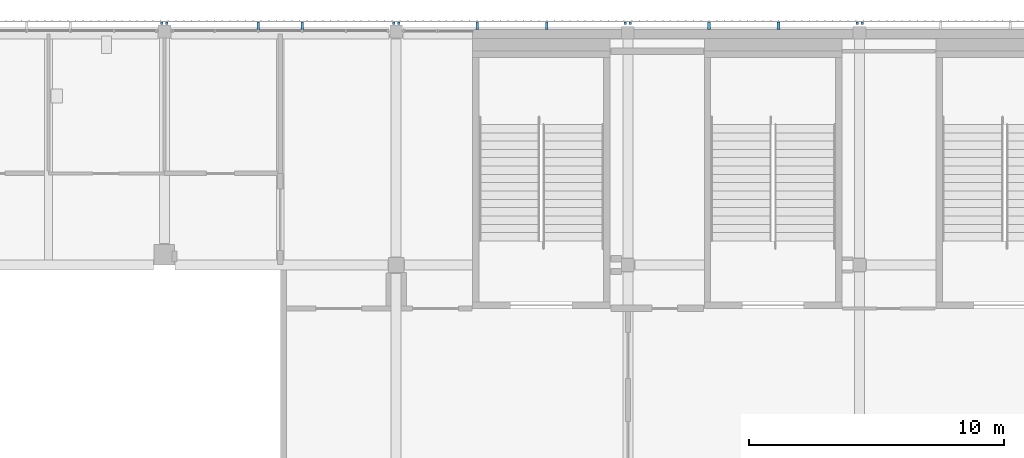
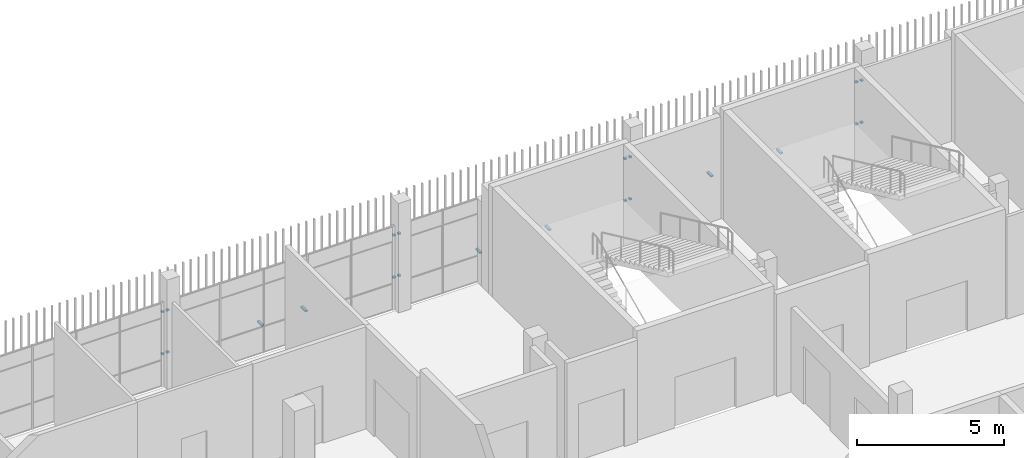
# One storey, part 98 of 124: 22 discrete accessories.
"""IFC4 building model written with IfcOpenShell, lengths in metres."""

from ifc_helpers import new_model, si_unit, direction, frame, origin, origin_2d, place, context, subcontext, project, spatial, rectangle, extrude, material, type_object, element, save


model = new_model("IFC4")

# Units and contexts
model_context = context("Model", 3, precision=1e-05, world=origin(), true_north=direction((0.0, 1.0)))
body_context = subcontext(model_context, "Body", "Model", "MODEL_VIEW")
ifc_project = project(units=[si_unit("LENGTHUNIT", "METRE"), si_unit("AREAUNIT", "SQUARE_METRE"), si_unit("VOLUMEUNIT", "CUBIC_METRE"), si_unit("PLANEANGLEUNIT", "RADIAN"), si_unit("MASSUNIT", "GRAM", prefix="KILO")], contexts=[model_context])

# Site, building, storey
site_placement = place(None, origin())
site = spatial("IfcSite", under=ifc_project, at=site_placement, CompositionType="ELEMENT")
building_placement = place(site_placement, origin())
building = spatial("IfcBuilding", under=site, at=building_placement, Name="Shirokan Park Arena", CompositionType="ELEMENT")
storey_placement = place(building_placement, frame((0.0, 0.0, 20.02001953125)))
storey = spatial("IfcBuildingStorey", under=building, at=storey_placement, Name="L04", CompositionType="ELEMENT", Elevation=20.02001953125)

# Discrete accessories
ifc_material = material(Name="Steel S355", Category="steel")
discrete_accessory_type = type_object("IfcDiscreteAccessoryType", Name="Veil bracket 100x60", PredefinedType="BRACKET", material=ifc_material)
for number, where, z_axis, x_axis, name in (
    (1, (127.5, 109.597412109375, 1.070068359375), (0.0, 0.0, 1.0), (-1.0, 0.0, 0.0), "Veil bracket north bay 2 L04 2"),
    (2, (127.5, 109.597412109375, 2.820068359375), (0.0, 0.0, 1.0), (-1.0, 0.0, 0.0), "Veil bracket north bay 2 L04 4"),
    (3, (127.300048828125, 109.597412109375, 1.070068359375), (0.0, 0.0, 1.0), (-1.0, 0.0, 0.0), "Veil bracket north bay 3 L04 1"),
    (4, (118.39990234375, 109.597412109375, 1.070068359375), (0.0, 0.0, 1.0), (-1.0, 0.0, 0.0), "Veil bracket north bay 3 L04 2"),
    (5, (127.300048828125, 109.597412109375, 2.820068359375), (0.0, 0.0, 1.0), (-1.0, 0.0, 0.0), "Veil bracket north bay 3 L04 3"),
    (6, (118.39990234375, 109.597412109375, 2.820068359375), (0.0, 0.0, 1.0), (-1.0, 0.0, 0.0), "Veil bracket north bay 3 L04 4"),
):
    element("IfcDiscreteAccessory", number, at=place(storey_placement, frame(where, z_axis=z_axis, x_axis=x_axis)), inside=storey, type_object=discrete_accessory_type, Name=name, PredefinedType="BRACKET", context=body_context, shape_type="SweptSolid", body=[
        extrude(rectangle(XDim=0.10009765625, YDim=0.094970703125, at=origin_2d()), origin(), (0.0, 0.0, 1.0), 0.06005859375),
    ])
for number, where, z_axis, x_axis, name in (
    (7, (124.215087890625, 109.49755859375, 1.070068359375), (0.0, 0.0, 1.0), (-1.0, 0.0, 0.0), "Veil bracket north bay 3 L04 wall 1"),
    (8, (121.485107421875, 109.49755859375, 1.070068359375), (0.0, 0.0, 1.0), (-1.0, 0.0, 0.0), "Veil bracket north bay 3 L04 wall 2"),
):
    element("IfcDiscreteAccessory", number, at=place(storey_placement, frame(where, z_axis=z_axis, x_axis=x_axis)), inside=storey, type_object=discrete_accessory_type, Name=name, PredefinedType="BRACKET", context=body_context, shape_type="SweptSolid", body=[
        extrude(rectangle(XDim=0.10009765625, YDim=0.294921875, at=origin_2d()), origin(), (0.0, 0.0, 1.0), 0.06005859375),
    ])
for number, where, z_axis, x_axis, name in (
    (9, (118.199951171875, 109.597412109375, 1.070068359375), (0.0, 0.0, 1.0), (-1.0, 0.0, 0.0), "Veil bracket north bay 4 L04 1"),
    (10, (109.300048828125, 109.597412109375, 1.070068359375), (0.0, 0.0, 1.0), (-1.0, 0.0, 0.0), "Veil bracket north bay 4 L04 2"),
    (11, (118.199951171875, 109.597412109375, 2.820068359375), (0.0, 0.0, 1.0), (-1.0, 0.0, 0.0), "Veil bracket north bay 4 L04 3"),
    (12, (109.300048828125, 109.597412109375, 2.820068359375), (0.0, 0.0, 1.0), (-1.0, 0.0, 0.0), "Veil bracket north bay 4 L04 4"),
):
    element("IfcDiscreteAccessory", number, at=place(storey_placement, frame(where, z_axis=z_axis, x_axis=x_axis)), inside=storey, type_object=discrete_accessory_type, Name=name, PredefinedType="BRACKET", context=body_context, shape_type="SweptSolid", body=[
        extrude(rectangle(XDim=0.10009765625, YDim=0.094970703125, at=origin_2d()), origin(), (0.0, 0.0, 1.0), 0.06005859375),
    ])
for number, where, z_axis, x_axis, name in (
    (13, (115.114990234375, 109.49755859375, 1.070068359375), (0.0, 0.0, 1.0), (-1.0, 0.0, 0.0), "Veil bracket north bay 4 L04 wall 1"),
    (14, (112.385009765625, 109.49755859375, 1.070068359375), (0.0, 0.0, 1.0), (-1.0, 0.0, 0.0), "Veil bracket north bay 4 L04 wall 2"),
):
    element("IfcDiscreteAccessory", number, at=place(storey_placement, frame(where, z_axis=z_axis, x_axis=x_axis)), inside=storey, type_object=discrete_accessory_type, Name=name, PredefinedType="BRACKET", context=body_context, shape_type="SweptSolid", body=[
        extrude(rectangle(XDim=0.10009765625, YDim=0.294921875, at=origin_2d()), origin(), (0.0, 0.0, 1.0), 0.06005859375),
    ])
for number, where, z_axis, x_axis, name in (
    (15, (109.10009765625, 109.597412109375, 1.070068359375), (0.0, 0.0, 1.0), (-1.0, 0.0, 0.0), "Veil bracket north bay 5 L04 1"),
    (16, (100.199951171875, 109.597412109375, 1.070068359375), (0.0, 0.0, 1.0), (-1.0, 0.0, 0.0), "Veil bracket north bay 5 L04 2"),
    (17, (109.10009765625, 109.597412109375, 2.820068359375), (0.0, 0.0, 1.0), (-1.0, 0.0, 0.0), "Veil bracket north bay 5 L04 3"),
    (18, (100.199951171875, 109.597412109375, 2.820068359375), (0.0, 0.0, 1.0), (-1.0, 0.0, 0.0), "Veil bracket north bay 5 L04 4"),
):
    element("IfcDiscreteAccessory", number, at=place(storey_placement, frame(where, z_axis=z_axis, x_axis=x_axis)), inside=storey, type_object=discrete_accessory_type, Name=name, PredefinedType="BRACKET", context=body_context, shape_type="SweptSolid", body=[
        extrude(rectangle(XDim=0.10009765625, YDim=0.094970703125, at=origin_2d()), origin(), (0.0, 0.0, 1.0), 0.06005859375),
    ])
for number, where, z_axis, x_axis, name in (
    (19, (105.510009765625, 109.485107421875, 1.070068359375), (0.0, 0.0, 1.0), (-1.0, 0.0, 0.0), "Veil bracket north bay 5 L04 wall 1"),
    (20, (103.7900390625, 109.485107421875, 1.070068359375), (0.0, 0.0, 1.0), (-1.0, 0.0, 0.0), "Veil bracket north bay 5 L04 wall 2"),
):
    element("IfcDiscreteAccessory", number, at=place(storey_placement, frame(where, z_axis=z_axis, x_axis=x_axis)), inside=storey, type_object=discrete_accessory_type, Name=name, PredefinedType="BRACKET", context=body_context, shape_type="SweptSolid", body=[
        extrude(rectangle(XDim=0.10009765625, YDim=0.320068359375, at=origin_2d()), origin(), (0.0, 0.0, 1.0), 0.06005859375),
    ])
for number, where, z_axis, x_axis, name in (
    (21, (100.0, 109.597412109375, 1.070068359375), (0.0, 0.0, 1.0), (-1.0, 0.0, 0.0), "Veil bracket north bay 6 L04 1"),
    (22, (100.0, 109.597412109375, 2.820068359375), (0.0, 0.0, 1.0), (-1.0, 0.0, 0.0), "Veil bracket north bay 6 L04 3"),
):
    element("IfcDiscreteAccessory", number, at=place(storey_placement, frame(where, z_axis=z_axis, x_axis=x_axis)), inside=storey, type_object=discrete_accessory_type, Name=name, PredefinedType="BRACKET", context=body_context, shape_type="SweptSolid", body=[
        extrude(rectangle(XDim=0.10009765625, YDim=0.094970703125, at=origin_2d()), origin(), (0.0, 0.0, 1.0), 0.06005859375),
    ])

save(model, "model.ifc")
